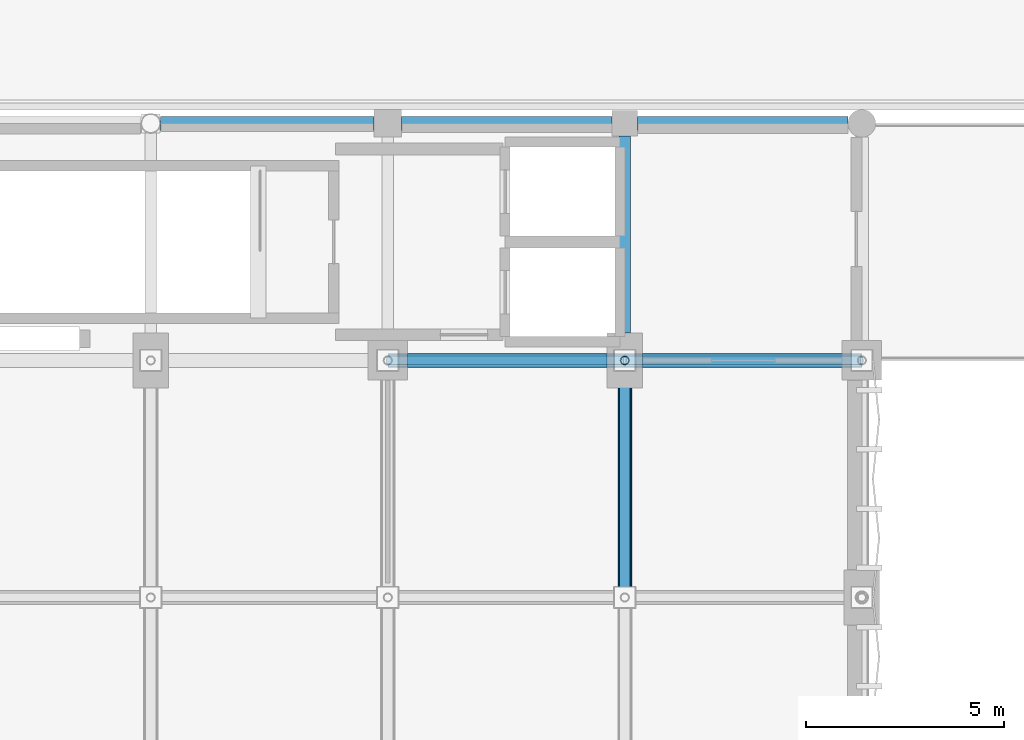
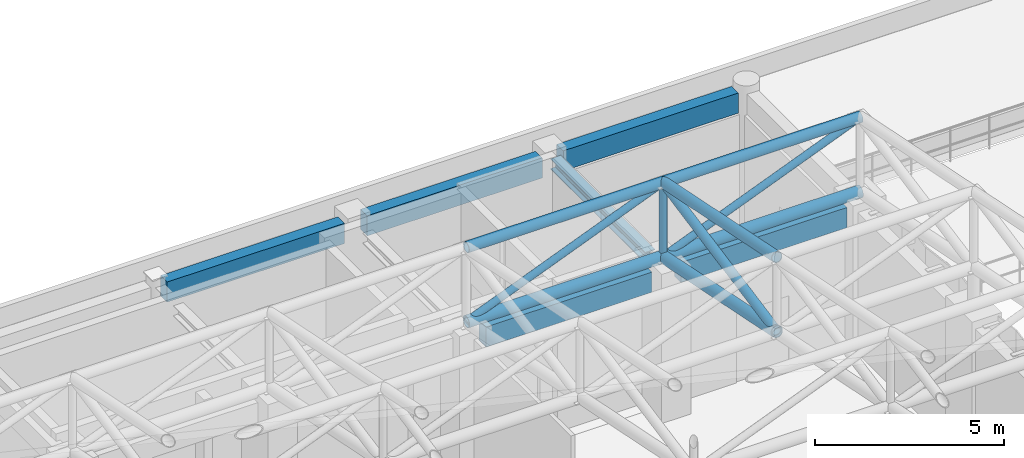
# One storey, part 35 of 112: 10 members, 6 beams.
"""IFC4 building model written with IfcOpenShell, lengths in metres."""

import ifcopenshell
import ifcopenshell.guid

model = None  # the IFC model being written
_history = None  # IfcOwnerHistory: only IFC2X3 demands one
_inside = {}  # id of a spatial element -> (the spatial element, [elements in it])
_under = {}  # id of a project, library or spatial element -> (it, [spatial elements below it])
_declared = {}  # id of a project -> (the project, [libraries it declares])
_typed = {}  # id of a type object -> (the type object, [elements of that type])
_made_of = {}  # id of a material, layer set ... -> (it, [elements and type objects made of it])


def new_model(schema):
    """Start an empty IFC model of exactly this schema.

    Asked for "IFC4X3", IfcOpenShell would pick the latest addendum, in which some entities
    have other attributes; the version numbers below select the first issue.
    IFC2X3 requires an IfcOwnerHistory on every rooted entity: one is made here for all.
    """
    global model, _history
    if schema == "IFC4X3":
        model = ifcopenshell.file(schema_version=(4, 3, 0, 0))
    else:
        model = ifcopenshell.file(schema=schema)
    _inside.clear()
    _under.clear()
    _declared.clear()
    _typed.clear()
    _made_of.clear()
    _history = None
    if model.schema == "IFC2X3":
        org = make("IfcOrganization", Name="unknown")
        user = make(
            "IfcPersonAndOrganization",
            ThePerson=make("IfcPerson", FamilyName="unknown"),
            TheOrganization=org,
        )
        app = make(
            "IfcApplication",
            ApplicationDeveloper=org,
            Version="unknown",
            ApplicationFullName="unknown",
            ApplicationIdentifier="unknown",
        )
        _history = make(
            "IfcOwnerHistory",
            OwningUser=user,
            OwningApplication=app,
            ChangeAction="ADDED",
            CreationDate=0,
        )
    return model


def make(cls, **values):
    """One entity of the class cls with the attributes given. An attribute that is None is left unset."""
    return model.create_entity(
        cls, **{name: value for name, value in values.items() if value is not None}
    )


def rooted(cls, **values):
    """An entity with a GlobalId (a new one), such as an element, a storey or a relation."""
    return make(cls, GlobalId=ifcopenshell.guid.new(), OwnerHistory=_history, **values)


def si_unit(unit_type, name, prefix=None):
    """IfcSIUnit, for example si_unit("LENGTHUNIT", "METRE", prefix="MILLI")."""
    return make("IfcSIUnit", UnitType=unit_type, Prefix=prefix, Name=name)


def assignment(units):
    """IfcUnitAssignment: the units of a project."""
    return None if units is None else make("IfcUnitAssignment", Units=units)


def point(xyz):
    """IfcCartesianPoint."""
    return None if xyz is None else make("IfcCartesianPoint", Coordinates=xyz)


def direction(xyz):
    """IfcDirection."""
    return None if xyz is None else make("IfcDirection", DirectionRatios=xyz)


def frame(location, z_axis=None, x_axis=None):
    """IfcAxis2Placement3D, a coordinate frame: its origin and axes. An axis left out is left unset."""
    return make(
        "IfcAxis2Placement3D",
        Location=point(location),
        Axis=direction(z_axis),
        RefDirection=direction(x_axis),
    )


def frame_2d(location, x_axis=None):
    """IfcAxis2Placement2D, a coordinate frame in the plane: its origin and x axis."""
    return make(
        "IfcAxis2Placement2D", Location=point(location), RefDirection=direction(x_axis)
    )


def origin():
    """The frame at (0, 0, 0) with its axes left unset."""
    return frame((0.0, 0.0, 0.0))


def origin_2d():
    """The frame at (0, 0) in the plane with its x axis left unset."""
    return frame_2d((0.0, 0.0))


def place(relative_to, where):
    """IfcLocalPlacement: puts the frame where relative to a parent placement (None: the world)."""
    return make(
        "IfcLocalPlacement", PlacementRelTo=relative_to, RelativePlacement=where
    )


def context(
    kind, dimensions, precision=None, world=None, true_north=None, identifier=None
):
    """IfcGeometricRepresentationContext, for example the 3D "Model" context."""
    return make(
        "IfcGeometricRepresentationContext",
        ContextIdentifier=identifier,
        ContextType=kind,
        CoordinateSpaceDimension=dimensions,
        Precision=precision,
        WorldCoordinateSystem=world,
        TrueNorth=true_north,
    )


def subcontext(parent, identifier, kind, view, scale=None):
    """IfcGeometricRepresentationSubContext, for example "Body" below "Model"."""
    return make(
        "IfcGeometricRepresentationSubContext",
        ContextIdentifier=identifier,
        ContextType=kind,
        ParentContext=parent,
        TargetScale=scale,
        TargetView=view,
    )


def project(units=None, contexts=None):
    """IfcProject with its units and contexts."""
    return rooted(
        "IfcProject",
        Name="project",
        RepresentationContexts=contexts,
        UnitsInContext=assignment(units),
    )


def spatial(cls, under=None, at=None, **own):
    """A site, building, storey or space (cls), placed at a placement, below another one or the project."""
    s = rooted(cls, ObjectPlacement=at, **own)
    if under is not None:
        _under.setdefault(under.id(), (under, []))[1].append(s)
    return s


def profile(cls, at=None, kind="AREA", **sizes):
    """A parametric profile (cls). Its sizes go by their IFC names, for example OverallWidth=200.0."""
    return make(cls, ProfileType=kind, Position=at, **sizes)


def rectangle(**sizes):
    """IfcRectangleProfileDef."""
    return profile("IfcRectangleProfileDef", **sizes)


def hollow_circle(**sizes):
    """IfcCircleHollowProfileDef."""
    return profile("IfcCircleHollowProfileDef", **sizes)


def i_section(**sizes):
    """IfcIShapeProfileDef."""
    return profile("IfcIShapeProfileDef", **sizes)


def extrude(swept, where, along, depth):
    """IfcExtrudedAreaSolid: the profile swept, set in the frame where, extruded along a direction by depth."""
    return make(
        "IfcExtrudedAreaSolid",
        SweptArea=swept,
        Position=where,
        ExtrudedDirection=direction(along),
        Depth=depth,
    )


def shape(context_of_items, identifier, shape_type, items):
    """IfcShapeRepresentation: the items that make up one representation, for example the "Body"."""
    return make(
        "IfcShapeRepresentation",
        ContextOfItems=context_of_items,
        RepresentationIdentifier=identifier,
        RepresentationType=shape_type,
        Items=items,
    )


def material(Name=None, Category=None):
    """IfcMaterial."""
    return make("IfcMaterial", Name=Name, Category=Category)


def material_profile(
    of_material, cross_section, Name=None, Category=None, Priority=None
):
    """IfcMaterialProfile: a cross section and its material."""
    return make(
        "IfcMaterialProfile",
        Name=Name,
        Material=of_material,
        Profile=cross_section,
        Priority=Priority,
        Category=Category,
    )


def profile_set(profiles, Name=None, composite=None):
    """IfcMaterialProfileSet."""
    return make(
        "IfcMaterialProfileSet",
        Name=Name,
        MaterialProfiles=profiles,
        CompositeProfile=composite,
    )


def made_of(thing, what):
    """Note that an element or type object is made of a material, layer set ...; save() writes the relation."""
    if what is not None:
        _made_of.setdefault(what.id(), (what, []))[1].append(thing)
    return thing


def type_object(cls, material=None, **own):
    """A type object (cls), such as IfcWallType, which elements share."""
    return made_of(rooted(cls, **own), material)


def element(
    cls,
    number,
    at=None,
    inside=None,
    cuts=None,
    type_object=None,
    material=None,
    context=None,
    identifier="Body",
    shape_type=None,
    held_by="IfcProductDefinitionShape",
    body=None,
    shapes=None,
    **own,
):
    """One element of the class cls, such as IfcWall. Its Tag is "e" and its number.

    at: its placement. inside: the storey or other place that contains it. cuts: it is an
    opening in that element (IfcRelVoidsElement). A single representation is given by context,
    identifier, shape_type and body (its items); several are given by shapes. held_by: the class
    of the entity that holds the representations. save() writes the other relations.
    """
    e = rooted(cls, Tag="e%d" % number, ObjectPlacement=at, **own)
    if body is not None:
        shapes = [shape(context, identifier, shape_type, body)]
    if shapes is not None:
        e.Representation = make(held_by, Representations=shapes)
    if inside is not None:
        _inside.setdefault(inside.id(), (inside, []))[1].append(e)
    if cuts is not None:
        rooted(
            "IfcRelVoidsElement", RelatingBuildingElement=cuts, RelatedOpeningElement=e
        )
    if type_object is not None:
        _typed.setdefault(type_object.id(), (type_object, []))[1].append(e)
    return made_of(e, material)


def aggregate(whole, parts):
    """IfcRelAggregates: a whole, such as a stair, and the parts it consists of."""
    return rooted("IfcRelAggregates", RelatingObject=whole, RelatedObjects=parts)


def save(model, path):
    """Write the relations noted so far, then the file.

    IfcRelAggregates (storeys below a building ...), IfcRelContainedInSpatialStructure (elements
    in a storey), IfcRelDefinesByType, IfcRelAssociatesMaterial and IfcRelDeclares: one each for
    every whole, place, type object, material and project.
    """
    for whole, parts in _under.values():
        aggregate(whole, parts)
    for where, things in _inside.values():
        rooted(
            "IfcRelContainedInSpatialStructure",
            RelatedElements=things,
            RelatingStructure=where,
        )
    for kind, things in _typed.values():
        rooted("IfcRelDefinesByType", RelatedObjects=things, RelatingType=kind)
    for what, things in _made_of.values():
        rooted("IfcRelAssociatesMaterial", RelatedObjects=things, RelatingMaterial=what)
    for by, libraries in _declared.values():
        rooted("IfcRelDeclares", RelatingContext=by, RelatedDefinitions=libraries)
    model.write(path)


model = new_model("IFC4")

# Units and contexts
model_context = context("Model", 3, precision=1e-05, world=origin(), true_north=direction((0.0, 1.0)))
body_context = subcontext(model_context, "Body", "Model", "MODEL_VIEW")
ifc_project = project(units=[si_unit("LENGTHUNIT", "METRE"), si_unit("AREAUNIT", "SQUARE_METRE"), si_unit("VOLUMEUNIT", "CUBIC_METRE"), si_unit("PLANEANGLEUNIT", "RADIAN"), si_unit("MASSUNIT", "GRAM", prefix="KILO"), si_unit("THERMODYNAMICTEMPERATUREUNIT", "KELVIN"), si_unit("POWERUNIT", "WATT")], contexts=[model_context])

# Site, building, storey
site_placement = place(None, origin())
site = spatial("IfcSite", under=ifc_project, at=site_placement, CompositionType="ELEMENT")
building_placement = place(site_placement, origin())
building = spatial("IfcBuilding", under=site, at=building_placement, Name="Phaisarnlok Congress Hotel", CompositionType="ELEMENT")
storey_placement = place(building_placement, frame((0.0, 0.0, 19.800048828125)))
storey = spatial("IfcBuildingStorey", under=building, at=storey_placement, Name="L04", CompositionType="ELEMENT", Elevation=19.800048828125)

# Beam
ifc_material_1 = material(Name="Steel S355", Category="steel")
ifc_material_profile_1 = material_profile(ifc_material_1, i_section(OverallWidth=0.300048828125, OverallDepth=0.340087890625, WebThickness=0.011962890625, FlangeThickness=0.021484375, FilletRadius=0.027099609375, at=origin_2d()), Name="HEB 340")
ifc_profile_set_1 = profile_set([ifc_material_profile_1], Name="Steel S355")
beam_type_1 = type_object("IfcBeamType", Name="BM-STL-HEB340", PredefinedType="BEAM", material=ifc_profile_set_1)
beam_1_placement = place(storey_placement, frame((60.0, 84.695068359375, 4.389892578125), z_axis=(0.0, 1.0, 0.0), x_axis=(-1.0, 0.0, 0.0)))
element("IfcBeam", 1, at=beam_1_placement, inside=storey, type_object=beam_type_1, Name="Beam SB-07", PredefinedType="BEAM", context=body_context, shape_type="SweptSolid", body=[
    extrude(i_section(OverallWidth=0.300048828125, OverallDepth=0.340087890625, WebThickness=0.011962890625, FlangeThickness=0.021484375, FilletRadius=0.027099609375, at=origin_2d()), origin(), (0.0, 0.0, 1.0), 4.98486328125),
])

# Members
ifc_material_profile_2 = material_profile(ifc_material_1, hollow_circle(Radius=0.109619140625, WallThickness=0.012451171875, at=origin_2d()), Name="CHS 219.1x12.5")
ifc_profile_set_2 = profile_set([ifc_material_profile_2], Name="Steel S355")
member_type_1 = type_object("IfcMemberType", Name="MEM-BRC-CHS219", PredefinedType="BRACE", material=ifc_profile_set_2)
member_1_placement = place(storey_placement, frame((54.0, 84.0, 4.800048828125), z_axis=(0.928481901832, 0.0, 0.371377648723), x_axis=(0.0, 1.0, 0.0)))
element("IfcMember", 2, at=member_1_placement, inside=storey, type_object=member_type_1, Name="Congress Hall space frame web diagonal TB-02", PredefinedType="BRACE", context=body_context, shape_type="SweptSolid", body=[
    extrude(hollow_circle(Radius=0.109619140625, WallThickness=0.012451171875, at=origin_2d()), origin(), (0.0, 0.0, 1.0), 6.462158203125),
])
member_2_placement = place(storey_placement, frame((60.0, 84.0, 4.800048828125), z_axis=(0.0, 0.0, 1.0), x_axis=(1.0, 0.0, 0.0)))
element("IfcMember", 3, at=member_2_placement, inside=storey, type_object=member_type_1, Name="Congress Hall space frame vertical brace TB-02", PredefinedType="BRACE", context=body_context, shape_type="SweptSolid", body=[
    extrude(hollow_circle(Radius=0.109619140625, WallThickness=0.012451171875, at=origin_2d()), origin(), (0.0, 0.0, 1.0), 2.39990234375),
])
member_3_placement = place(storey_placement, frame((60.0, 84.0, 4.800048828125), z_axis=(0.928481901832, 0.0, 0.371377648723), x_axis=(0.0, 1.0, 0.0)))
element("IfcMember", 4, at=member_3_placement, inside=storey, type_object=member_type_1, Name="Congress Hall space frame web diagonal TB-02", PredefinedType="BRACE", context=body_context, shape_type="SweptSolid", body=[
    extrude(hollow_circle(Radius=0.109619140625, WallThickness=0.012451171875, at=origin_2d()), origin(), (0.0, 0.0, 1.0), 6.462158203125),
])
ifc_material_profile_3 = material_profile(ifc_material_1, hollow_circle(Radius=0.136474609375, WallThickness=0.01611328125, at=origin_2d()), Name="CHS 273x16")
ifc_profile_set_3 = profile_set([ifc_material_profile_3], Name="Steel S355")
member_type_2 = type_object("IfcMemberType", Name="MEM-BRC-CHS273", PredefinedType="BRACE", material=ifc_profile_set_3)
member_4_placement = place(storey_placement, frame((60.0, 78.0, 6.020751953125), z_axis=(0.0, 0.981229397887, 0.192844156567), x_axis=(-1.0, 0.0, 0.0)))
element("IfcMember", 5, at=member_4_placement, inside=storey, type_object=member_type_2, Name="Congress Hall space frame raking brace TB-03", PredefinedType="BRACE", context=body_context, shape_type="SweptSolid", body=[
    extrude(hollow_circle(Radius=0.136474609375, WallThickness=0.01611328125, at=origin_2d()), origin(), (0.0, 0.0, 1.0), 6.11474609375),
])
ifc_material_profile_4 = material_profile(ifc_material_1, hollow_circle(Radius=0.161865234375, WallThickness=0.01611328125, at=origin_2d()), Name="CHS 323.9x16")
ifc_profile_set_4 = profile_set([ifc_material_profile_4], Name="Steel S355")
member_type_3 = type_object("IfcMemberType", Name="MEM-CHD-CHS324", PredefinedType="CHORD", material=ifc_profile_set_4)
member_5_placement = place(storey_placement, frame((54.0, 84.0, 7.199951171875), z_axis=(1.0, 0.0, 0.0), x_axis=(0.0, 1.0, 0.0)))
element("IfcMember", 6, at=member_5_placement, inside=storey, type_object=member_type_3, Name="Congress Hall space frame top chord TC-02", PredefinedType="CHORD", context=body_context, shape_type="SweptSolid", body=[
    extrude(hollow_circle(Radius=0.161865234375, WallThickness=0.01611328125, at=origin_2d()), origin(), (0.0, 0.0, 1.0), 6.0),
])
member_6_placement = place(storey_placement, frame((60.0, 78.0, 8.420654296875), z_axis=(0.0, 0.979925045119, -0.199366260807), x_axis=(-1.0, 0.0, 0.0)))
element("IfcMember", 7, at=member_6_placement, inside=storey, type_object=member_type_3, Name="Congress Hall space frame top chord TC-02", PredefinedType="CHORD", context=body_context, shape_type="SweptSolid", body=[
    extrude(hollow_circle(Radius=0.161865234375, WallThickness=0.01611328125, at=origin_2d()), origin(), (0.0, 0.0, 1.0), 6.122802734375),
])
member_7_placement = place(storey_placement, frame((60.0, 84.0, 7.199951171875), z_axis=(1.0, 0.0, 0.0), x_axis=(0.0, 1.0, 0.0)))
element("IfcMember", 8, at=member_7_placement, inside=storey, type_object=member_type_3, Name="Congress Hall space frame top chord TC-02", PredefinedType="CHORD", context=body_context, shape_type="SweptSolid", body=[
    extrude(hollow_circle(Radius=0.161865234375, WallThickness=0.01611328125, at=origin_2d()), origin(), (0.0, 0.0, 1.0), 6.0),
])
ifc_material_profile_5 = material_profile(ifc_material_1, hollow_circle(Radius=0.177734375, WallThickness=0.02001953125, at=origin_2d()), Name="CHS 355.6x20")
ifc_profile_set_5 = profile_set([ifc_material_profile_5], Name="Steel S355")
member_type_4 = type_object("IfcMemberType", Name="MEM-CHD-CHS356", PredefinedType="CHORD", material=ifc_profile_set_5)
member_8_placement = place(storey_placement, frame((54.0, 84.0, 4.800048828125), z_axis=(1.0, 0.0, 0.0), x_axis=(0.0, 1.0, 0.0)))
element("IfcMember", 9, at=member_8_placement, inside=storey, type_object=member_type_4, Name="Congress Hall space frame bottom chord TC-01", PredefinedType="CHORD", context=body_context, shape_type="SweptSolid", body=[
    extrude(hollow_circle(Radius=0.177734375, WallThickness=0.02001953125, at=origin_2d()), origin(), (0.0, 0.0, 1.0), 6.0),
])
member_9_placement = place(storey_placement, frame((60.0, 78.0, 6.020751953125), z_axis=(0.0, 0.979925045119, -0.199366260807), x_axis=(-1.0, 0.0, 0.0)))
element("IfcMember", 10, at=member_9_placement, inside=storey, type_object=member_type_4, Name="Congress Hall space frame bottom chord TC-01", PredefinedType="CHORD", context=body_context, shape_type="SweptSolid", body=[
    extrude(hollow_circle(Radius=0.177734375, WallThickness=0.02001953125, at=origin_2d()), origin(), (0.0, 0.0, 1.0), 6.122802734375),
])
member_10_placement = place(storey_placement, frame((60.0, 84.0, 4.800048828125), z_axis=(1.0, 0.0, 0.0), x_axis=(0.0, 1.0, 0.0)))
element("IfcMember", 11, at=member_10_placement, inside=storey, type_object=member_type_4, Name="Congress Hall space frame bottom chord TC-01", PredefinedType="CHORD", context=body_context, shape_type="SweptSolid", body=[
    extrude(hollow_circle(Radius=0.177734375, WallThickness=0.02001953125, at=origin_2d()), origin(), (0.0, 0.0, 1.0), 6.0),
])

# Beams
ifc_material_2 = material(Name="Concrete C40/50", Category="concrete")
ifc_material_profile_6 = material_profile(ifc_material_2, rectangle(XDim=0.35009765625, YDim=0.64990234375, at=origin_2d()), Name="RC 350x650")
ifc_profile_set_6 = profile_set([ifc_material_profile_6], Name="Concrete C40/50")
beam_type_2 = type_object("IfcBeamType", Name="SP-RC-350x650", PredefinedType="SPANDREL", material=ifc_profile_set_6)
beam_2_placement = place(storey_placement, frame((48.2490234375, 90.0, 4.23486328125), z_axis=(1.0, 0.0, 0.0), x_axis=(0.0, 1.0, 0.0)))
element("IfcBeam", 12, at=beam_2_placement, inside=storey, type_object=beam_type_2, Name="Beam SP-01", PredefinedType="SPANDREL", context=body_context, shape_type="SweptSolid", body=[
    extrude(rectangle(XDim=0.35009765625, YDim=0.64990234375, at=origin_2d()), origin(), (0.0, 0.0, 1.0), 5.406005859375),
])
beam_3_placement = place(storey_placement, frame((54.4951171875, 84.0, 4.23486328125), z_axis=(1.0, 0.0, 0.0), x_axis=(0.0, 1.0, 0.0)))
element("IfcBeam", 13, at=beam_3_placement, inside=storey, type_object=beam_type_2, Name="Beam SP-01", PredefinedType="SPANDREL", context=body_context, shape_type="SweptSolid", body=[
    extrude(rectangle(XDim=0.35009765625, YDim=0.64990234375, at=origin_2d()), origin(), (0.0, 0.0, 1.0), 5.059814453125),
])
beam_4_placement = place(storey_placement, frame((54.344970703125, 90.0, 4.23486328125), z_axis=(1.0, 0.0, 0.0), x_axis=(0.0, 1.0, 0.0)))
element("IfcBeam", 14, at=beam_4_placement, inside=storey, type_object=beam_type_2, Name="Beam SP-01", PredefinedType="SPANDREL", context=body_context, shape_type="SweptSolid", body=[
    extrude(rectangle(XDim=0.35009765625, YDim=0.64990234375, at=origin_2d()), origin(), (0.0, 0.0, 1.0), 5.3349609375),
])
beam_5_placement = place(storey_placement, frame((60.445068359375, 84.0, 4.23486328125), z_axis=(1.0, 0.0, 0.0), x_axis=(0.0, 1.0, 0.0)))
element("IfcBeam", 15, at=beam_5_placement, inside=storey, type_object=beam_type_2, Name="Beam SP-01", PredefinedType="SPANDREL", context=body_context, shape_type="SweptSolid", body=[
    extrude(rectangle(XDim=0.35009765625, YDim=0.64990234375, at=origin_2d()), origin(), (0.0, 0.0, 1.0), 5.059814453125),
])
beam_6_placement = place(storey_placement, frame((60.320068359375, 90.0, 4.23486328125), z_axis=(1.0, 0.0, 0.0), x_axis=(0.0, 1.0, 0.0)))
element("IfcBeam", 16, at=beam_6_placement, inside=storey, type_object=beam_type_2, Name="Beam SP-01", PredefinedType="SPANDREL", context=body_context, shape_type="SweptSolid", body=[
    extrude(rectangle(XDim=0.35009765625, YDim=0.64990234375, at=origin_2d()), origin(), (0.0, 0.0, 1.0), 5.3349609375),
])

save(model, "model.ifc")
